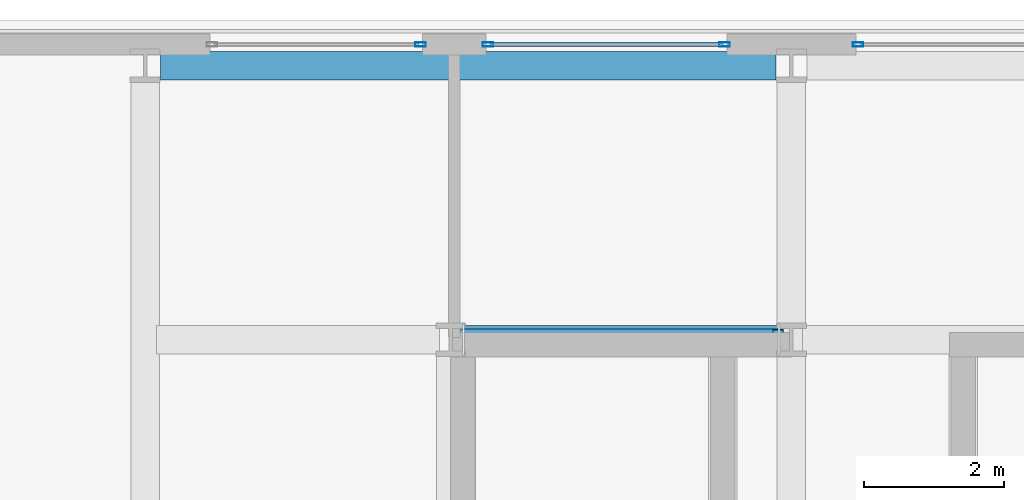
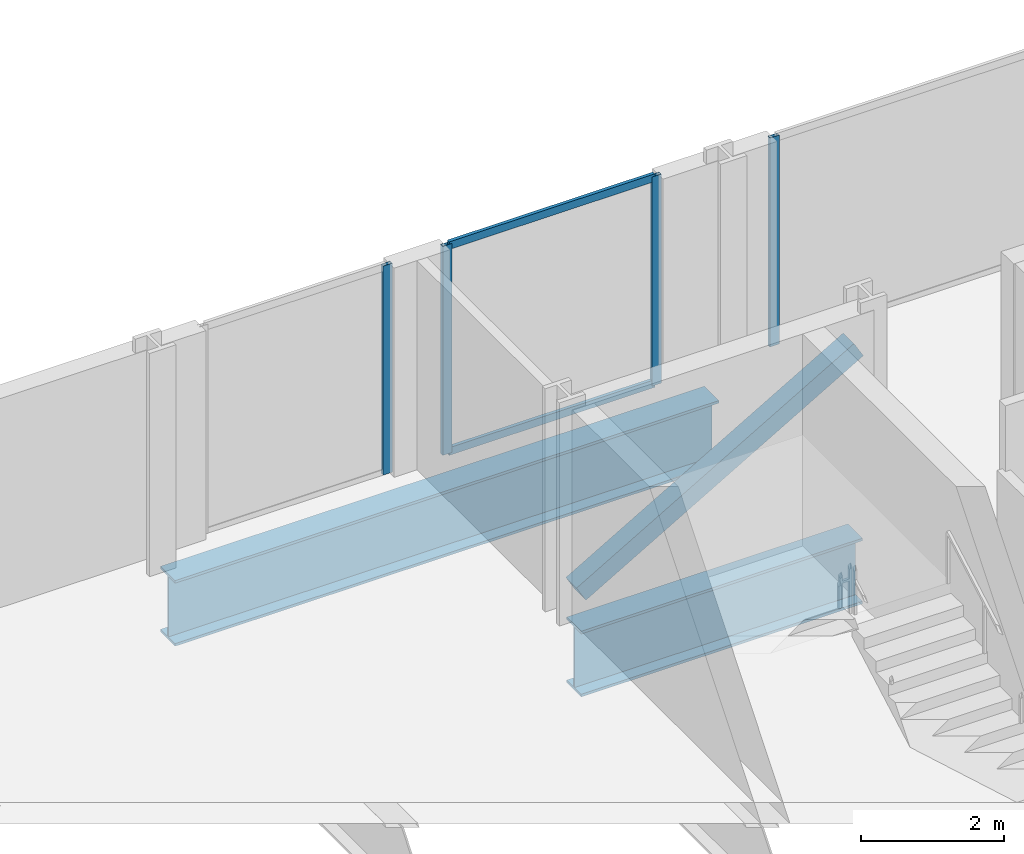
# One storey, part 17 of 26: 7 members, 2 beams, 3 elements without a shape of their own.
"""IFC4 building model written with IfcOpenShell, lengths in metres."""

from ifc_helpers import new_model, si_unit, direction, frame, origin, origin_2d, place, context, subcontext, project, spatial, hollow_rectangle, i_section, extrude, material, layer, layer_set, material_profile, profile_set, type_object, element, aggregate, save


model = new_model("IFC4")

# Units and contexts
model_context = context("Model", 3, precision=1e-05, world=origin(), true_north=direction((0.0, 1.0)))
body_context = subcontext(model_context, "Body", "Model", "MODEL_VIEW")
ifc_project = project(units=[si_unit("LENGTHUNIT", "METRE"), si_unit("AREAUNIT", "SQUARE_METRE"), si_unit("VOLUMEUNIT", "CUBIC_METRE"), si_unit("PLANEANGLEUNIT", "RADIAN"), si_unit("MASSUNIT", "GRAM", prefix="KILO")], contexts=[model_context])

# Site, building, storey
site_placement = place(None, origin())
site = spatial("IfcSite", under=ifc_project, at=site_placement, CompositionType="ELEMENT")
building_placement = place(site_placement, origin())
building = spatial("IfcBuilding", under=site, at=building_placement, Name="Zuhayl Quay Hotel", CompositionType="ELEMENT")
storey_placement = place(building_placement, frame((0.0, 0.0, 301.050048828125)))
storey = spatial("IfcBuildingStorey", under=building, at=storey_placement, Name="Crown 2", CompositionType="ELEMENT", Elevation=301.050048828125)

# Beams
ifc_material_1 = material(Name="Steel ASTM A913 Grade 65", Category="steel")
ifc_material_profile_1 = material_profile(ifc_material_1, i_section(OverallWidth=0.404052734375, OverallDepth=1.117919921875, WebThickness=0.026123046875, FlangeThickness=0.044921875, at=origin_2d()), Name="W44X335")
ifc_profile_set_1 = profile_set([ifc_material_profile_1], Name="Steel ASTM A913 Grade 65")
beam_type = type_object("IfcBeamType", Name="BM_TG1_W44X335", PredefinedType="BEAM", material=ifc_profile_set_1)
beam_1_placement = place(storey_placement, frame((-9.2900390625, 34.449951171875, -0.799072265625), z_axis=(1.0, 0.0, 0.0), x_axis=(0.0, 1.0, 0.0)))
element("IfcBeam", 1, at=beam_1_placement, inside=storey, type_object=beam_type, Name="Crown 2 Floor Beam CR_EW_2_2_2", PredefinedType="BEAM", context=body_context, shape_type="SweptSolid", body=[
    extrude(i_section(OverallWidth=0.404052734375, OverallDepth=1.117919921875, WebThickness=0.026123046875, FlangeThickness=0.044921875, at=origin_2d()), origin(), (0.0, 0.0, 1.0), 4.530029296875),
])
beam_2_placement = place(storey_placement, frame((-13.580078125, 38.35009765625, -0.799072265625), z_axis=(1.0, 0.0, 0.0), x_axis=(0.0, 1.0, 0.0)))
element("IfcBeam", 2, at=beam_2_placement, inside=storey, type_object=beam_type, Name="Crown 2 Floor Beam CR_N_W_2", PredefinedType="BEAM", context=body_context, shape_type="SweptSolid", body=[
    extrude(i_section(OverallWidth=0.404052734375, OverallDepth=1.117919921875, WebThickness=0.026123046875, FlangeThickness=0.044921875, at=origin_2d()), origin(), (0.0, 0.0, 1.0), 8.760009765625),
])

# Member
ifc_material_2 = material(Name="Steel ASTM A500 Grade C", Category="steel")
ifc_material_profile_2 = material_profile(ifc_material_2, hollow_rectangle(XDim=0.300048828125, YDim=0.300048828125, WallThickness=0.012451171875, at=origin_2d()), Name="HSS300X300X12")
ifc_profile_set_2 = profile_set([ifc_material_profile_2], Name="Steel ASTM A500 Grade C")
member_type_1 = type_object("IfcMemberType", Name="MB_CR_BRACE_HSS300", PredefinedType="BRACE", material=ifc_profile_set_2)
member_1_placement = place(storey_placement, frame((-9.260009765625, 34.449951171875, 0.349853515625), z_axis=(0.864399824179, 0.0, 0.50280507551), x_axis=(0.0, 1.0, 0.0)))
element("IfcMember", 3, at=member_1_placement, inside=storey, type_object=member_type_1, Name="Crown 2 Crown Lateral Brace CD1", PredefinedType="BRACE", context=body_context, shape_type="SweptSolid", body=[
    extrude(hollow_rectangle(XDim=0.300048828125, YDim=0.300048828125, WallThickness=0.012451171875, at=origin_2d()), origin(), (0.0, 0.0, 1.0), 5.171142578125),
])

# Curtain wall, member
ifc_material_3 = material(Name="Anodised Aluminium 6063-T6", Category="aluminium")
ifc_layer = layer(ifc_material_3, 0.159912109375, Name="Anodised Aluminium 6063-T6", Category="aluminium")
ifc_layer_set = layer_set([ifc_layer], Name="Anodised Aluminium 6063-T6")
curtain_wall_type = type_object("IfcCurtainWallType", Name="CW_SYS_CRN", PredefinedType="USERDEFINED", material=ifc_layer_set)
curtain_wall_1_placement = place(storey_placement, origin())
curtain_wall_1 = element("IfcCurtainWall", 4, at=curtain_wall_1_placement, inside=storey, type_object=curtain_wall_type, Name="Crown 2 Curtain Wall ENV_CR2_E3_CW1", ObjectType="UNITISED CURTAIN WALL", PredefinedType="USERDEFINED")
ifc_material_4 = material(Name="Black-anodised aluminium 6063-T6", Category="aluminium")
ifc_material_profile_3 = material_profile(ifc_material_4, hollow_rectangle(XDim=0.06005859375, YDim=0.14990234375, WallThickness=0.00341796875, at=origin_2d()), Name="ALU150X60")
ifc_profile_set_3 = profile_set([ifc_material_profile_3], Name="Black-anodised aluminium 6063-T6")
member_type_2 = type_object("IfcMemberType", Name="MB_CW_MUL_150", PredefinedType="MULLION", material=ifc_profile_set_3)
member_2_placement = place(storey_placement, frame((-9.8798828125, 38.64990234375, 0.0), z_axis=(0.0, 0.0, 1.0), x_axis=(0.0, 1.0, 0.0)))
member_2 = element("IfcMember", 5, at=member_2_placement, type_object=member_type_2, Name="CW-CRN mullion 2", PredefinedType="MULLION", context=body_context, shape_type="SweptSolid", body=[
    extrude(hollow_rectangle(XDim=0.06005859375, YDim=0.14990234375, WallThickness=0.00341796875, at=origin_2d()), origin(), (0.0, 0.0, 1.0), 3.56005859375),
])
aggregate(curtain_wall_1, [member_2])

# Curtain wall, members
curtain_wall_2_placement = place(storey_placement, origin())
curtain_wall_2 = element("IfcCurtainWall", 6, at=curtain_wall_2_placement, inside=storey, type_object=curtain_wall_type, Name="Crown 2 Curtain Wall ENV_CR2_E3_CW2", ObjectType="UNITISED CURTAIN WALL", PredefinedType="USERDEFINED")
member_3_placement = place(storey_placement, frame((-8.919921875, 38.64990234375, 0.0), z_axis=(0.0, 0.0, 1.0), x_axis=(0.0, 1.0, 0.0)))
member_3 = element("IfcMember", 7, at=member_3_placement, type_object=member_type_2, Name="CW-CRN mullion 1", PredefinedType="MULLION", context=body_context, shape_type="SweptSolid", body=[
    extrude(hollow_rectangle(XDim=0.06005859375, YDim=0.14990234375, WallThickness=0.00341796875, at=origin_2d()), origin(), (0.0, 0.0, 1.0), 3.56005859375),
])
member_4_placement = place(storey_placement, frame((-5.550048828125, 38.64990234375, 0.0), z_axis=(0.0, 0.0, 1.0), x_axis=(0.0, 1.0, 0.0)))
member_4 = element("IfcMember", 8, at=member_4_placement, type_object=member_type_2, Name="CW-CRN mullion 2", PredefinedType="MULLION", context=body_context, shape_type="SweptSolid", body=[
    extrude(hollow_rectangle(XDim=0.06005859375, YDim=0.14990234375, WallThickness=0.00341796875, at=origin_2d()), origin(), (0.0, 0.0, 1.0), 3.56005859375),
])

# Curtain wall, member
curtain_wall_3_placement = place(storey_placement, origin())
curtain_wall_3 = element("IfcCurtainWall", 9, at=curtain_wall_3_placement, inside=storey, type_object=curtain_wall_type, Name="Crown 2 Curtain Wall ENV_CR2_E3_CW3", ObjectType="UNITISED CURTAIN WALL", PredefinedType="USERDEFINED")
member_5_placement = place(storey_placement, frame((-3.64990234375, 38.64990234375, 0.0), z_axis=(0.0, 0.0, 1.0), x_axis=(0.0, 1.0, 0.0)))
member_5 = element("IfcMember", 10, at=member_5_placement, type_object=member_type_2, Name="CW-CRN mullion 1", PredefinedType="MULLION", context=body_context, shape_type="SweptSolid", body=[
    extrude(hollow_rectangle(XDim=0.06005859375, YDim=0.14990234375, WallThickness=0.00341796875, at=origin_2d()), origin(), (0.0, 0.0, 1.0), 3.56005859375),
])
aggregate(curtain_wall_3, [member_5])

# Member
ifc_material_profile_4 = material_profile(ifc_material_4, hollow_rectangle(XDim=0.054931640625, YDim=0.1298828125, WallThickness=0.0029296875, at=origin_2d()), Name="ALU130X55")
ifc_profile_set_4 = profile_set([ifc_material_profile_4], Name="Black-anodised aluminium 6063-T6")
member_type_3 = type_object("IfcMemberType", Name="MB_CW_TRN_130", PredefinedType="USERDEFINED", material=ifc_profile_set_4)
member_6_placement = place(storey_placement, frame((-8.889892578125, 38.64990234375, 0.02734375), z_axis=(1.0, 0.0, 0.0), x_axis=(0.0, 1.0, 0.0)))
member_6 = element("IfcMember", 11, at=member_6_placement, type_object=member_type_3, Name="CW-CRN transom 1.1", ObjectType="TRANSOM", PredefinedType="USERDEFINED", context=body_context, shape_type="SweptSolid", body=[
    extrude(hollow_rectangle(XDim=0.054931640625, YDim=0.1298828125, WallThickness=0.0029296875, at=origin_2d()), origin(), (0.0, 0.0, 1.0), 3.309814453125),
])

member_7_placement = place(storey_placement, frame((-8.889892578125, 38.64990234375, 3.532470703125), z_axis=(1.0, 0.0, 0.0), x_axis=(0.0, 1.0, 0.0)))
member_7 = element("IfcMember", 12, at=member_7_placement, type_object=member_type_3, Name="CW-CRN transom 1.2", ObjectType="TRANSOM", PredefinedType="USERDEFINED", context=body_context, shape_type="SweptSolid", body=[
    extrude(hollow_rectangle(XDim=0.054931640625, YDim=0.1298828125, WallThickness=0.0029296875, at=origin_2d()), origin(), (0.0, 0.0, 1.0), 3.309814453125),
])

aggregate(curtain_wall_2, [member_3, member_4, member_6, member_7])

save(model, "model.ifc")
